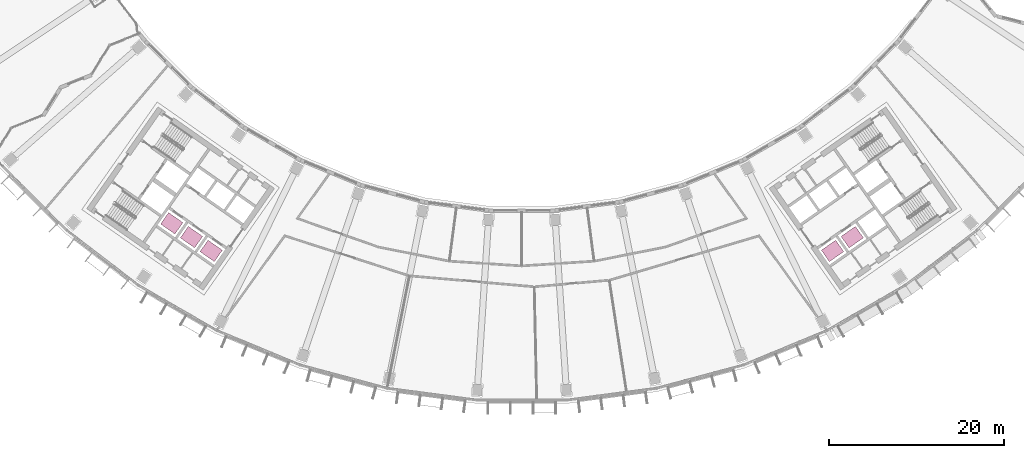
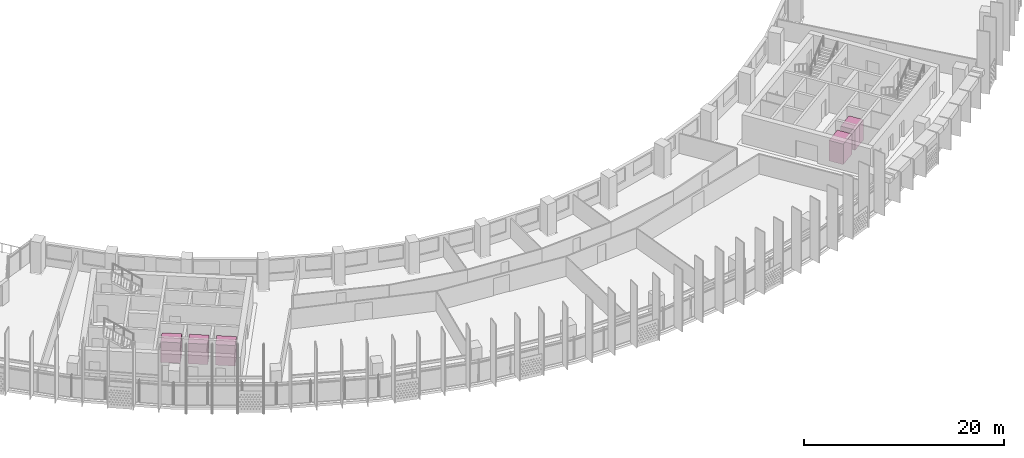
# One storey, part 30 of 31: 5 transport elements.
"""IFC4 building model written with IfcOpenShell, lengths in metres."""

from ifc_helpers import new_model, si_unit, direction, frame, origin, origin_2d, place, context, subcontext, project, spatial, rectangle, extrude, material, type_object, element, save


model = new_model("IFC4")

# Units and contexts
model_context = context("Model", 3, precision=1e-05, world=origin(), true_north=direction((0.0, 1.0)))
body_context = subcontext(model_context, "Body", "Model", "MODEL_VIEW")
ifc_project = project(units=[si_unit("LENGTHUNIT", "METRE"), si_unit("AREAUNIT", "SQUARE_METRE"), si_unit("VOLUMEUNIT", "CUBIC_METRE"), si_unit("PLANEANGLEUNIT", "RADIAN"), si_unit("MASSUNIT", "GRAM", prefix="KILO")], contexts=[model_context])

# Site, building, storey
site_placement = place(None, origin())
site = spatial("IfcSite", under=ifc_project, at=site_placement, CompositionType="ELEMENT")
building_placement = place(site_placement, origin())
building = spatial("IfcBuilding", under=site, at=building_placement, Name="Qamariyya Broadcast Tower", CompositionType="ELEMENT")
storey_placement = place(building_placement, frame((0.0, 0.0, 149.300048828125)))
storey = spatial("IfcBuildingStorey", under=building, at=storey_placement, Name="L34", CompositionType="ELEMENT", Elevation=149.300048828125)

# Transport elements
ifc_material = material(Name="Stainless steel", Category="steel")
transport_element_type = type_object("IfcTransportElementType", Name="Lift car LF2", PredefinedType="ELEVATOR", material=ifc_material)
for number, where, z_axis, x_axis, name in (
    (1, (-35.5078125, -61.690185546875, 0.050048828125), (0.0, 0.0, 1.0), (-0.819152044289, 0.573576436351, 0.0), "Lift HR1"),
    (2, (-37.760498046875, -60.11279296875, 0.050048828125), (0.0, 0.0, 1.0), (-0.819152044289, 0.573576436351, 0.0), "Lift HR2"),
    (3, (-40.01318359375, -58.535400390625, 0.050048828125), (0.0, 0.0, 1.0), (-0.819152044289, 0.573576436351, 0.0), "Lift HR3"),
    (4, (35.5078125, -61.690185546875, 0.050048828125), (0.0, 0.0, 1.0), (0.819152044289, 0.573576436351, 0.0), "Lift HR4"),
    (5, (37.760498046875, -60.11279296875, 0.050048828125), (0.0, 0.0, 1.0), (0.819152044289, 0.573576436351, 0.0), "Lift HR5"),
):
    element("IfcTransportElement", number, at=place(storey_placement, frame(where, z_axis=z_axis, x_axis=x_axis)), inside=storey, type_object=transport_element_type, Name=name, PredefinedType="ELEVATOR", context=body_context, shape_type="SweptSolid", body=[
        extrude(rectangle(XDim=2.0, YDim=1.60009765625, at=origin_2d()), origin(), (0.0, 0.0, 1.0), 2.5),
    ])

save(model, "model.ifc")
